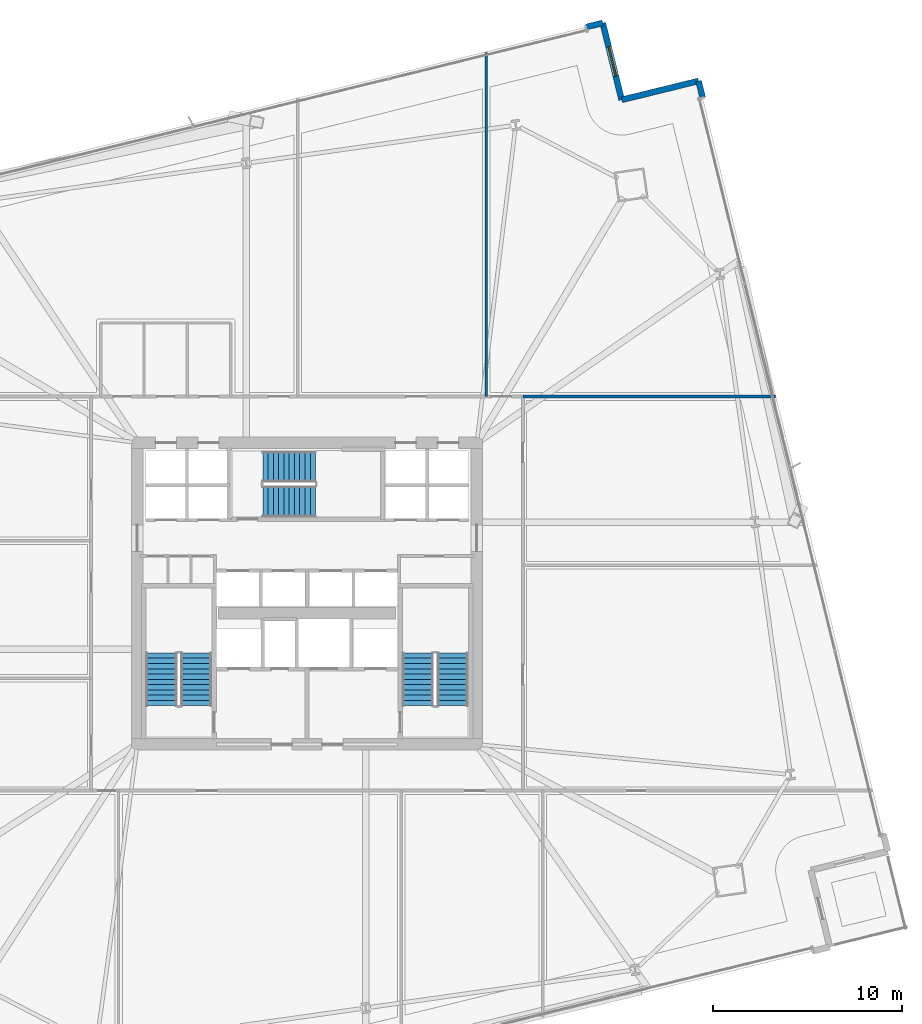
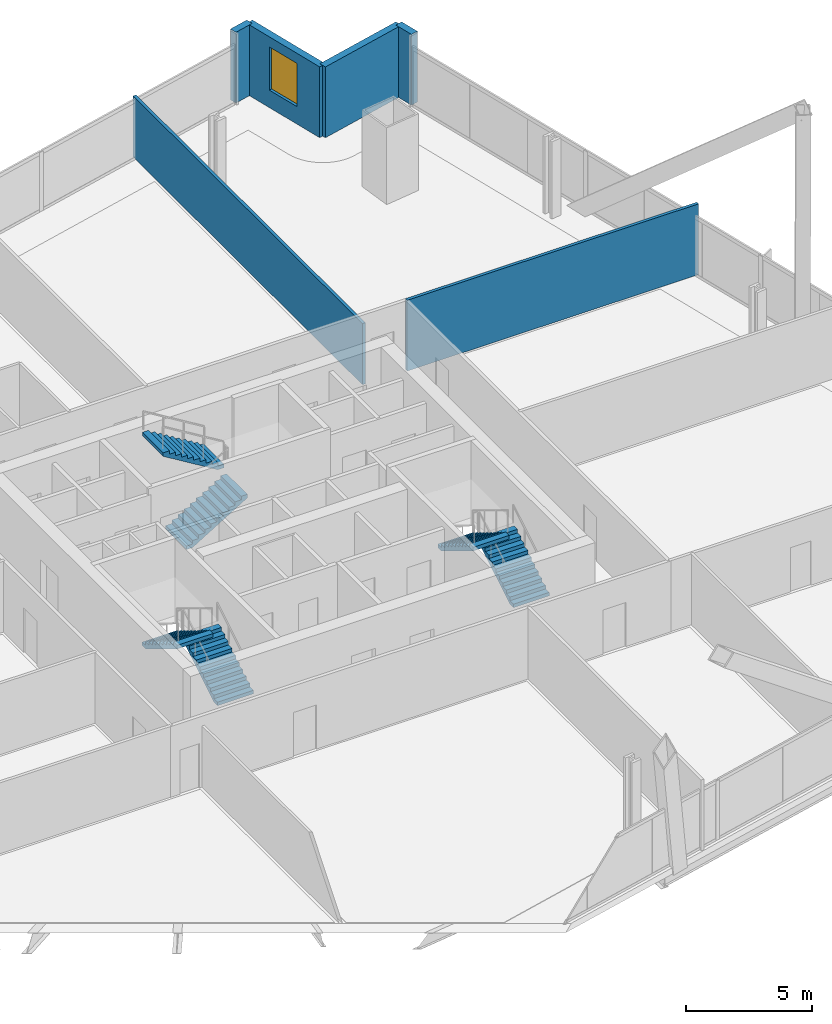
# One storey, part 27 of 32: 6 stair flights, 6 walls, 1 window, 1 opening, 3 elements without a shape of their own.
"""IFC4 building model written with IfcOpenShell, lengths in metres."""

from ifc_helpers import new_model, si_unit, direction, frame, frame_2d, origin, place, context, subcontext, project, spatial, polyline, rectangle, outline, extrude, material, layer, layer_set, type_object, element, fill, aggregate, save


model = new_model("IFC4")

# Units and contexts
model_context = context("Model", 3, precision=1e-05, world=origin(), true_north=direction((0.0, 1.0)))
body_context = subcontext(model_context, "Body", "Model", "MODEL_VIEW")
ifc_project = project(units=[si_unit("LENGTHUNIT", "METRE"), si_unit("AREAUNIT", "SQUARE_METRE"), si_unit("VOLUMEUNIT", "CUBIC_METRE"), si_unit("PLANEANGLEUNIT", "RADIAN"), si_unit("MASSUNIT", "GRAM", prefix="KILO")], contexts=[model_context])

# Site, building, storey
site_placement = place(None, origin())
site = spatial("IfcSite", under=ifc_project, at=site_placement, CompositionType="ELEMENT")
building_placement = place(site_placement, origin())
building = spatial("IfcBuilding", under=site, at=building_placement, Name="Haldenkirk Collegiate Tower", CompositionType="ELEMENT")
storey_placement = place(building_placement, frame((0.0, 0.0, 73.949951171875)))
storey = spatial("IfcBuildingStorey", under=building, at=storey_placement, Name="L17", CompositionType="ELEMENT", Elevation=73.949951171875)

# Walls
ifc_material_1 = material(Name="Precast concrete f'c 40 MPa", Category="concrete")
ifc_layer_1 = layer(ifc_material_1, 0.320068359375)
ifc_layer_set_1 = layer_set([ifc_layer_1], Name="Precast concrete f'c 40 MPa")
wall_type_1 = type_object("IfcWallType", Name="WL-EXT-TWR-320", PredefinedType="STANDARD", material=ifc_layer_set_1)
wall_1_placement = place(storey_placement, frame((56.76416015625, 53.187744140625, 0.0), z_axis=(0.0, 0.0, 1.0), x_axis=(0.238704255463, -0.971092311999, 0.0)))
element("IfcWall", 1, at=wall_1_placement, inside=storey, type_object=wall_type_1, Name="L17 precast corner pier EL", PredefinedType="STANDARD", context=body_context, shape_type="SweptSolid", body=[
    extrude(rectangle(XDim=0.900146484375, YDim=0.320068359375, at=frame_2d((0.4501953125, 0.0))), origin(), (0.0, 0.0, 1.0), 3.43994140625),
])
wall_2_placement = place(storey_placement, frame((52.685302734375, 52.185791015625, 0.0), z_axis=(0.0, 0.0, 1.0), x_axis=(0.971129335226, 0.238553587824, 0.0)))
element("IfcWall", 2, at=wall_2_placement, inside=storey, type_object=wall_type_1, Name="L17 bronze precast notch wall 05", PredefinedType="STANDARD", context=body_context, shape_type="SweptSolid", body=[
    extrude(rectangle(XDim=4.2001953125, YDim=0.320068359375, at=frame_2d((2.10009765625, 0.0))), origin(), (0.0, 0.0, 1.0), 3.43994140625),
])

# Wall, opening, window
wall_3_placement = place(storey_placement, frame((51.68359375, 56.2646484375, 0.0), z_axis=(0.0, 0.0, 1.0), x_axis=(0.238498767477, -0.971142799959, 0.0)))
wall_3 = element("IfcWall", 3, at=wall_3_placement, inside=storey, type_object=wall_type_1, Name="L17 bronze precast notch wall 06", PredefinedType="STANDARD", context=body_context, shape_type="SweptSolid", body=[
    extrude(rectangle(XDim=4.199951171875, YDim=0.320068359375, at=frame_2d((2.10009765625, 0.0))), origin(), (0.0, 0.0, 1.0), 3.43994140625),
])
opening_placement = place(wall_3_placement, frame((1.300048828125, 0.0, 0.85009765625)))
opening = element("IfcOpeningElement", 4, at=opening_placement, cuts=wall_3, Name="Opening W-03", PredefinedType="OPENING", context=body_context, shape_type="SweptSolid", body=[
    extrude(rectangle(XDim=1.60009765625, YDim=2.10009765625, at=frame_2d((0.800048828125, 1.050048828125))), frame((0.0, 0.169921875, 0.0), z_axis=(0.0, -1.0, 0.0), x_axis=(1.0, 0.0, 0.0)), (0.0, 0.0, 1.0), 0.340087890625),
])
ifc_material_2 = material(Name="Low-E argon triple insulating glass", Category="glass")
ifc_layer_2 = layer(ifc_material_2, 0.090087890625)
ifc_layer_set_2 = layer_set([ifc_layer_2], Name="Low-E argon triple insulating glass")
window_type = type_object("IfcWindowType", Name="WN-Z1-1600X2100", PartitioningType="SINGLE_PANEL", PredefinedType="WINDOW", material=ifc_layer_set_2)
window_placement = place(opening_placement, origin())
window = element("IfcWindow", 5, at=window_placement, inside=storey, type_object=window_type, Name="L17 precast-frame academic window 5", OverallHeight=2.10009765625, OverallWidth=1.60009765625, PartitioningType="SINGLE_PANEL", PredefinedType="WINDOW", context=body_context, shape_type="SweptSolid", body=[
    extrude(rectangle(XDim=1.60009765625, YDim=2.10009765625, at=frame_2d((0.800048828125, 1.050048828125))), frame((0.0, 0.030029296875, 0.0), z_axis=(0.0, -1.0, 0.0), x_axis=(1.0, 0.0, 0.0)), (0.0, 0.0, 1.0), 0.06005859375),
])
fill(opening, window)

# Walls
wall_4_placement = place(storey_placement, frame((50.8095703125, 56.050048828125, 0.0), z_axis=(0.0, 0.0, 1.0), x_axis=(0.971155160294, 0.238448431815, 0.0)))
element("IfcWall", 6, at=wall_4_placement, inside=storey, type_object=wall_type_1, Name="L17 precast corner pier NR", PredefinedType="STANDARD", context=body_context, shape_type="SweptSolid", body=[
    extrude(rectangle(XDim=0.89990234375, YDim=0.320068359375, at=frame_2d((0.449951171875, 0.0))), origin(), (0.0, 0.0, 1.0), 3.43994140625),
])
ifc_material_3 = material(Name="Acoustic fire-rated gypsum partition", Category="concrete")
ifc_layer_3 = layer(ifc_material_3, 0.139892578125)
ifc_layer_set_3 = layer_set([ifc_layer_3], Name="Acoustic fire-rated gypsum partition")
wall_type_2 = type_object("IfcWallType", Name="WL-INT-DIV-140", PredefinedType="PARTITIONING", material=ifc_layer_set_3)
wall_5_placement = place(storey_placement, frame((47.449951171875, 36.449951171875, 0.0), z_axis=(0.0, 0.0, 1.0), x_axis=(1.0, 0.0, 0.0)))
element("IfcWall", 7, at=wall_5_placement, inside=storey, type_object=wall_type_2, Name="L17 interior partition IW-L17-BEN", PredefinedType="PARTITIONING", context=body_context, shape_type="SweptSolid", body=[
    extrude(rectangle(XDim=13.38427734375, YDim=0.139892578125, at=frame_2d((6.692138671875, 0.0))), origin(), (0.0, 0.0, 1.0), 3.43994140625),
])
wall_6_placement = place(storey_placement, frame((45.5, 36.449951171875, 0.0), z_axis=(0.0, 0.0, 1.0), x_axis=(0.0, 1.0, 0.0)))
element("IfcWall", 8, at=wall_6_placement, inside=storey, type_object=wall_type_2, Name="L17 interior partition IW-L17-RN2", PredefinedType="PARTITIONING", context=body_context, shape_type="SweptSolid", body=[
    extrude(rectangle(XDim=18.254638671875, YDim=0.139892578125, at=frame_2d((9.12744140625, 0.0))), origin(), (0.0, 0.0, 1.0), 2.97216796875),
])

# Stair, stair flights
ifc_material_4 = material(Name="Concrete f'c 40 MPa", Category="concrete")
stair_type = type_object("IfcStairType", Name="STR-DOGLEG-1650", PredefinedType="HALF_TURN_STAIR", material=ifc_material_4)
stair_1_placement = place(storey_placement, origin())
stair_1 = element("IfcStair", 9, at=stair_1_placement, inside=storey, type_object=stair_type, Name="L17 Core Exit Stair ST-1", PredefinedType="HALF_TURN_STAIR")
stair_flight_type = type_object("IfcStairFlightType", Name="STF-FLIGHT-1650", PredefinedType="STRAIGHT", material=ifc_material_4)
stair_flight_1_placement = place(storey_placement, frame((30.125, 20.050048828125, 0.0), z_axis=(0.0, 0.0, 1.0), x_axis=(0.0, 1.0, 0.0)))
stair_flight_1 = element("IfcStairFlight", 10, at=stair_flight_1_placement, type_object=stair_flight_type, Name="ST-1 flight 1", NumberOfRisers=11, NumberOfTreads=10, PredefinedType="STRAIGHT", RiserHeight=0.170454545, TreadLength=0.28, context=body_context, shape_type="SweptSolid", body=[
    extrude(outline(polyline([(0.0, 0.0), (0.0, 0.17041015625), (0.280029296875, 0.17041015625), (0.280029296875, 0.3408203125), (0.56005859375, 0.3408203125), (0.56005859375, 0.511474609375), (0.840087890625, 0.511474609375), (0.840087890625, 0.681884765625), (1.1201171875, 0.681884765625), (1.1201171875, 0.852294921875), (1.39990234375, 0.852294921875), (1.39990234375, 1.022705078125), (1.679931640625, 1.022705078125), (1.679931640625, 1.193115234375), (1.9599609375, 1.193115234375), (1.9599609375, 1.363525390625), (2.239990234375, 1.363525390625), (2.239990234375, 1.5341796875), (2.52001953125, 1.5341796875), (2.52001953125, 1.70458984375), (2.800048828125, 1.70458984375), (2.800048828125, 1.875), (2.800048828125, 1.529052734375), (0.288330078125, 0.0), (0.0, 0.0)])), frame((0.0, 0.824951171875, 0.0), z_axis=(0.0, -1.0, 0.0), x_axis=(1.0, 0.0, 0.0)), (0.0, 0.0, 1.0), 1.64990234375),
])
stair_flight_2_placement = place(storey_placement, frame((28.27490234375, 22.85009765625, 1.875), z_axis=(0.0, 0.0, 1.0), x_axis=(0.0, -1.0, 0.0)))
stair_flight_2 = element("IfcStairFlight", 11, at=stair_flight_2_placement, type_object=stair_flight_type, Name="ST-1 flight 2", NumberOfRisers=11, NumberOfTreads=10, PredefinedType="STRAIGHT", RiserHeight=0.170454545, TreadLength=0.28, context=body_context, shape_type="SweptSolid", body=[
    extrude(outline(polyline([(0.0, 0.0), (0.0, 0.17041015625), (0.280029296875, 0.17041015625), (0.280029296875, 0.3408203125), (0.56005859375, 0.3408203125), (0.56005859375, 0.511474609375), (0.840087890625, 0.511474609375), (0.840087890625, 0.681884765625), (1.1201171875, 0.681884765625), (1.1201171875, 0.852294921875), (1.39990234375, 0.852294921875), (1.39990234375, 1.022705078125), (1.679931640625, 1.022705078125), (1.679931640625, 1.193115234375), (1.9599609375, 1.193115234375), (1.9599609375, 1.363525390625), (2.239990234375, 1.363525390625), (2.239990234375, 1.5341796875), (2.52001953125, 1.5341796875), (2.52001953125, 1.70458984375), (2.800048828125, 1.70458984375), (2.800048828125, 1.875), (2.800048828125, 1.529052734375), (0.288330078125, 0.0), (0.0, 0.0)])), frame((0.0, 0.824951171875, 0.0), z_axis=(0.0, -1.0, 0.0), x_axis=(1.0, 0.0, 0.0)), (0.0, 0.0, 1.0), 1.64990234375),
])
aggregate(stair_1, [stair_flight_1, stair_flight_2])

stair_2_placement = place(storey_placement, origin())
stair_2 = element("IfcStair", 12, at=stair_2_placement, inside=storey, type_object=stair_type, Name="L17 Core Exit Stair ST-2", PredefinedType="HALF_TURN_STAIR")
stair_flight_3_placement = place(storey_placement, frame((43.72509765625, 20.050048828125, 0.0), z_axis=(0.0, 0.0, 1.0), x_axis=(0.0, 1.0, 0.0)))
stair_flight_3 = element("IfcStairFlight", 13, at=stair_flight_3_placement, type_object=stair_flight_type, Name="ST-2 flight 1", NumberOfRisers=11, NumberOfTreads=10, PredefinedType="STRAIGHT", RiserHeight=0.170454545, TreadLength=0.28, context=body_context, shape_type="SweptSolid", body=[
    extrude(outline(polyline([(0.0, 0.0), (0.0, 0.17041015625), (0.280029296875, 0.17041015625), (0.280029296875, 0.3408203125), (0.56005859375, 0.3408203125), (0.56005859375, 0.511474609375), (0.840087890625, 0.511474609375), (0.840087890625, 0.681884765625), (1.1201171875, 0.681884765625), (1.1201171875, 0.852294921875), (1.39990234375, 0.852294921875), (1.39990234375, 1.022705078125), (1.679931640625, 1.022705078125), (1.679931640625, 1.193115234375), (1.9599609375, 1.193115234375), (1.9599609375, 1.363525390625), (2.239990234375, 1.363525390625), (2.239990234375, 1.5341796875), (2.52001953125, 1.5341796875), (2.52001953125, 1.70458984375), (2.800048828125, 1.70458984375), (2.800048828125, 1.875), (2.800048828125, 1.529052734375), (0.288330078125, 0.0), (0.0, 0.0)])), frame((0.0, 0.824951171875, 0.0), z_axis=(0.0, -1.0, 0.0), x_axis=(1.0, 0.0, 0.0)), (0.0, 0.0, 1.0), 1.64990234375),
])
stair_flight_4_placement = place(storey_placement, frame((41.875, 22.85009765625, 1.875), z_axis=(0.0, 0.0, 1.0), x_axis=(0.0, -1.0, 0.0)))
stair_flight_4 = element("IfcStairFlight", 14, at=stair_flight_4_placement, type_object=stair_flight_type, Name="ST-2 flight 2", NumberOfRisers=11, NumberOfTreads=10, PredefinedType="STRAIGHT", RiserHeight=0.170454545, TreadLength=0.28, context=body_context, shape_type="SweptSolid", body=[
    extrude(outline(polyline([(0.0, 0.0), (0.0, 0.17041015625), (0.280029296875, 0.17041015625), (0.280029296875, 0.3408203125), (0.56005859375, 0.3408203125), (0.56005859375, 0.511474609375), (0.840087890625, 0.511474609375), (0.840087890625, 0.681884765625), (1.1201171875, 0.681884765625), (1.1201171875, 0.852294921875), (1.39990234375, 0.852294921875), (1.39990234375, 1.022705078125), (1.679931640625, 1.022705078125), (1.679931640625, 1.193115234375), (1.9599609375, 1.193115234375), (1.9599609375, 1.363525390625), (2.239990234375, 1.363525390625), (2.239990234375, 1.5341796875), (2.52001953125, 1.5341796875), (2.52001953125, 1.70458984375), (2.800048828125, 1.70458984375), (2.800048828125, 1.875), (2.800048828125, 1.529052734375), (0.288330078125, 0.0), (0.0, 0.0)])), frame((0.0, 0.824951171875, 0.0), z_axis=(0.0, -1.0, 0.0), x_axis=(1.0, 0.0, 0.0)), (0.0, 0.0, 1.0), 1.64990234375),
])
aggregate(stair_2, [stair_flight_3, stair_flight_4])

stair_3_placement = place(storey_placement, origin())
stair_3 = element("IfcStair", 15, at=stair_3_placement, inside=storey, type_object=stair_type, Name="L17 Core Exit Stair ST-3", PredefinedType="HALF_TURN_STAIR")
stair_flight_5_placement = place(storey_placement, frame((33.64990234375, 30.875, 0.0), z_axis=(0.0, 0.0, 1.0), x_axis=(1.0, 0.0, 0.0)))
stair_flight_5 = element("IfcStairFlight", 16, at=stair_flight_5_placement, type_object=stair_flight_type, Name="ST-3 flight 1", NumberOfRisers=11, NumberOfTreads=10, PredefinedType="STRAIGHT", RiserHeight=0.170454545, TreadLength=0.28, context=body_context, shape_type="SweptSolid", body=[
    extrude(outline(polyline([(0.0, 0.0), (0.0, 0.17041015625), (0.280029296875, 0.17041015625), (0.280029296875, 0.3408203125), (0.56005859375, 0.3408203125), (0.56005859375, 0.511474609375), (0.840087890625, 0.511474609375), (0.840087890625, 0.681884765625), (1.1201171875, 0.681884765625), (1.1201171875, 0.852294921875), (1.39990234375, 0.852294921875), (1.39990234375, 1.022705078125), (1.679931640625, 1.022705078125), (1.679931640625, 1.193115234375), (1.9599609375, 1.193115234375), (1.9599609375, 1.363525390625), (2.239990234375, 1.363525390625), (2.239990234375, 1.5341796875), (2.52001953125, 1.5341796875), (2.52001953125, 1.70458984375), (2.800048828125, 1.70458984375), (2.800048828125, 1.875), (2.800048828125, 1.529052734375), (0.288330078125, 0.0), (0.0, 0.0)])), frame((0.0, 0.824951171875, 0.0), z_axis=(0.0, -1.0, 0.0), x_axis=(1.0, 0.0, 0.0)), (0.0, 0.0, 1.0), 1.64990234375),
])
stair_flight_6_placement = place(storey_placement, frame((36.449951171875, 32.72509765625, 1.875), z_axis=(0.0, 0.0, 1.0), x_axis=(-1.0, 0.0, 0.0)))
stair_flight_6 = element("IfcStairFlight", 17, at=stair_flight_6_placement, type_object=stair_flight_type, Name="ST-3 flight 2", NumberOfRisers=11, NumberOfTreads=10, PredefinedType="STRAIGHT", RiserHeight=0.170454545, TreadLength=0.28, context=body_context, shape_type="SweptSolid", body=[
    extrude(outline(polyline([(0.0, 0.0), (0.0, 0.17041015625), (0.280029296875, 0.17041015625), (0.280029296875, 0.3408203125), (0.56005859375, 0.3408203125), (0.56005859375, 0.511474609375), (0.840087890625, 0.511474609375), (0.840087890625, 0.681884765625), (1.1201171875, 0.681884765625), (1.1201171875, 0.852294921875), (1.39990234375, 0.852294921875), (1.39990234375, 1.022705078125), (1.679931640625, 1.022705078125), (1.679931640625, 1.193115234375), (1.9599609375, 1.193115234375), (1.9599609375, 1.363525390625), (2.239990234375, 1.363525390625), (2.239990234375, 1.5341796875), (2.52001953125, 1.5341796875), (2.52001953125, 1.70458984375), (2.800048828125, 1.70458984375), (2.800048828125, 1.875), (2.800048828125, 1.529052734375), (0.288330078125, 0.0), (0.0, 0.0)])), frame((0.0, 0.824951171875, 0.0), z_axis=(0.0, -1.0, 0.0), x_axis=(1.0, 0.0, 0.0)), (0.0, 0.0, 1.0), 1.64990234375),
])
aggregate(stair_3, [stair_flight_5, stair_flight_6])

save(model, "model.ifc")
